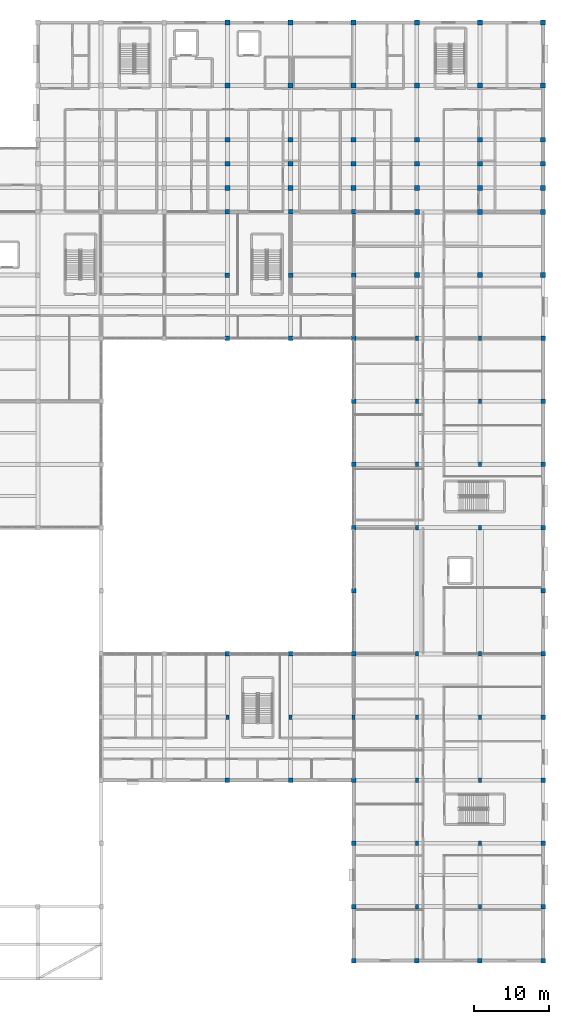
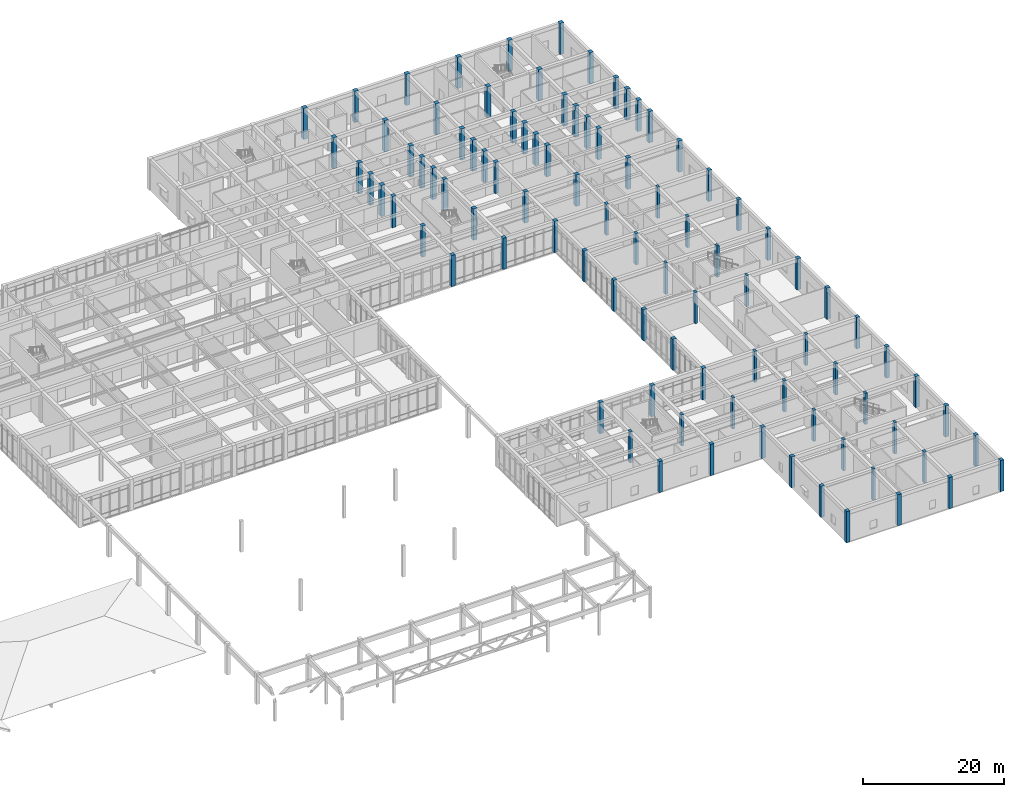
# One storey, part 4 of 89: 92 columns.
"""IFC4 building model written with IfcOpenShell, lengths in metres."""

from ifc_helpers import new_model, si_unit, direction, frame, origin, origin_2d, place, context, subcontext, project, spatial, rectangle, extrude, material, material_profile, profile_set, type_object, element, save


model = new_model("IFC4")

# Units and contexts
model_context = context("Model", 3, precision=1e-05, world=origin(), true_north=direction((0.0, 1.0)))
body_context = subcontext(model_context, "Body", "Model", "MODEL_VIEW")
ifc_project = project(units=[si_unit("LENGTHUNIT", "METRE"), si_unit("AREAUNIT", "SQUARE_METRE"), si_unit("VOLUMEUNIT", "CUBIC_METRE"), si_unit("PLANEANGLEUNIT", "RADIAN"), si_unit("MASSUNIT", "GRAM", prefix="KILO")], contexts=[model_context])

# Site, building, storey
site_placement = place(None, origin())
site = spatial("IfcSite", under=ifc_project, at=site_placement, CompositionType="ELEMENT")
building_placement = place(site_placement, origin())
building = spatial("IfcBuilding", under=site, at=building_placement, Name="Varncliffe General Hospital", CompositionType="ELEMENT")
storey_placement = place(building_placement, frame((0.0, 0.0, 10.800048828125)))
storey = spatial("IfcBuildingStorey", under=building, at=storey_placement, Name="L02", CompositionType="ELEMENT", Elevation=10.800048828125)

# Columns
ifc_material = material(Name="Concrete C40/50 (CSA A23.1 40 MPa)", Category="concrete")
ifc_material_profile_1 = material_profile(ifc_material, rectangle(XDim=0.64990234375, YDim=0.64990234375, at=origin_2d()), Name="RC 650x650")
ifc_profile_set_1 = profile_set([ifc_material_profile_1], Name="Concrete C40/50 (CSA A23.1 40 MPa)")
column_type_1 = type_object("IfcColumnType", Name="Column C21 (Ext RC 650x650)", PredefinedType="COLUMN", material=ifc_profile_set_1)
for number, where, z_axis, x_axis, name in (
    (1, (134.39990234375, 124.800048828125, 0.0), (0.0, 0.0, 1.0), (1.0, 0.0, 0.0), "L02 Column C21"),
    (2, (142.800048828125, 124.800048828125, 0.0), (0.0, 0.0, 1.0), (1.0, 0.0, 0.0), "L02 Column C21"),
    (3, (151.199951171875, 124.800048828125, 0.0), (0.0, 0.0, 1.0), (1.0, 0.0, 0.0), "L02 Column C21"),
    (4, (159.60009765625, 124.800048828125, 0.0), (0.0, 0.0, 1.0), (1.0, 0.0, 0.0), "L02 Column C21"),
    (5, (168.0, 124.800048828125, 0.0), (0.0, 0.0, 1.0), (1.0, 0.0, 0.0), "L02 Column C21"),
    (6, (176.39990234375, 91.199951171875, 0.0), (0.0, 0.0, 1.0), (1.0, 0.0, 0.0), "L02 Column C21"),
    (7, (176.39990234375, 99.60009765625, 0.0), (0.0, 0.0, 1.0), (1.0, 0.0, 0.0), "L02 Column C21"),
    (8, (176.39990234375, 102.800048828125, 0.0), (0.0, 0.0, 1.0), (1.0, 0.0, 0.0), "L02 Column C21"),
    (9, (176.39990234375, 106.0, 0.0), (0.0, 0.0, 1.0), (1.0, 0.0, 0.0), "L02 Column C21"),
    (10, (176.39990234375, 109.199951171875, 0.0), (0.0, 0.0, 1.0), (1.0, 0.0, 0.0), "L02 Column C21"),
    (11, (176.39990234375, 116.39990234375, 0.0), (0.0, 0.0, 1.0), (1.0, 0.0, 0.0), "L02 Column C21"),
    (12, (176.39990234375, 124.800048828125, 0.0), (0.0, 0.0, 1.0), (1.0, 0.0, 0.0), "L02 Column C21"),
):
    element("IfcColumn", number, at=place(storey_placement, frame(where, z_axis=z_axis, x_axis=x_axis)), inside=storey, type_object=column_type_1, Name=name, PredefinedType="COLUMN", context=body_context, shape_type="SweptSolid", body=[
        extrude(rectangle(XDim=0.64990234375, YDim=0.64990234375, at=origin_2d()), origin(), (0.0, 0.0, 1.0), 5.39990234375),
    ])
ifc_material_profile_2 = material_profile(ifc_material, rectangle(XDim=0.60009765625, YDim=0.60009765625, at=origin_2d()), Name="RC 600x600")
ifc_profile_set_2 = profile_set([ifc_material_profile_2], Name="Concrete C40/50 (CSA A23.1 40 MPa)")
column_type_2 = type_object("IfcColumnType", Name="Column C27 (Ext RC 600x600)", PredefinedType="COLUMN", material=ifc_profile_set_2)
for number, where, z_axis, x_axis, name in (
    (13, (134.39990234375, 24.0, 0.0), (0.0, 0.0, 1.0), (1.0, 0.0, 0.0), "L02 Column C27"),
    (14, (134.39990234375, 40.800048828125, 0.0), (0.0, 0.0, 1.0), (1.0, 0.0, 0.0), "L02 Column C27"),
    (15, (134.39990234375, 82.800048828125, 0.0), (0.0, 0.0, 1.0), (1.0, 0.0, 0.0), "L02 Column C27"),
    (16, (142.800048828125, 24.0, 0.0), (0.0, 0.0, 1.0), (1.0, 0.0, 0.0), "L02 Column C27"),
    (17, (142.800048828125, 40.800048828125, 0.0), (0.0, 0.0, 1.0), (1.0, 0.0, 0.0), "L02 Column C27"),
    (18, (142.800048828125, 82.800048828125, 0.0), (0.0, 0.0, 1.0), (1.0, 0.0, 0.0), "L02 Column C27"),
    (19, (151.199951171875, 0.0, 0.0), (0.0, 0.0, 1.0), (1.0, 0.0, 0.0), "L02 Column C27"),
    (20, (151.199951171875, 7.199951171875, 0.0), (0.0, 0.0, 1.0), (1.0, 0.0, 0.0), "L02 Column C27"),
    (21, (151.199951171875, 15.60009765625, 0.0), (0.0, 0.0, 1.0), (1.0, 0.0, 0.0), "L02 Column C27"),
    (22, (151.199951171875, 24.0, 0.0), (0.0, 0.0, 1.0), (1.0, 0.0, 0.0), "L02 Column C27"),
    (23, (151.199951171875, 40.800048828125, 0.0), (0.0, 0.0, 1.0), (1.0, 0.0, 0.0), "L02 Column C27"),
    (24, (151.199951171875, 49.199951171875, 0.0), (0.0, 0.0, 1.0), (1.0, 0.0, 0.0), "L02 Column C27"),
    (25, (151.199951171875, 57.60009765625, 0.0), (0.0, 0.0, 1.0), (1.0, 0.0, 0.0), "L02 Column C27"),
    (26, (151.199951171875, 66.0, 0.0), (0.0, 0.0, 1.0), (1.0, 0.0, 0.0), "L02 Column C27"),
    (27, (151.199951171875, 74.39990234375, 0.0), (0.0, 0.0, 1.0), (1.0, 0.0, 0.0), "L02 Column C27"),
    (28, (151.199951171875, 82.800048828125, 0.0), (0.0, 0.0, 1.0), (1.0, 0.0, 0.0), "L02 Column C27"),
    (29, (159.60009765625, 0.0, 0.0), (0.0, 0.0, 1.0), (1.0, 0.0, 0.0), "L02 Column C27"),
    (30, (168.0, 0.0, 0.0), (0.0, 0.0, 1.0), (1.0, 0.0, 0.0), "L02 Column C27"),
    (31, (176.39990234375, 0.0, 0.0), (0.0, 0.0, 1.0), (1.0, 0.0, 0.0), "L02 Column C27"),
    (32, (176.39990234375, 7.199951171875, 0.0), (0.0, 0.0, 1.0), (1.0, 0.0, 0.0), "L02 Column C27"),
    (33, (176.39990234375, 15.60009765625, 0.0), (0.0, 0.0, 1.0), (1.0, 0.0, 0.0), "L02 Column C27"),
    (34, (176.39990234375, 24.0, 0.0), (0.0, 0.0, 1.0), (1.0, 0.0, 0.0), "L02 Column C27"),
    (35, (176.39990234375, 32.39990234375, 0.0), (0.0, 0.0, 1.0), (1.0, 0.0, 0.0), "L02 Column C27"),
    (36, (176.39990234375, 40.800048828125, 0.0), (0.0, 0.0, 1.0), (1.0, 0.0, 0.0), "L02 Column C27"),
    (37, (176.39990234375, 49.199951171875, 0.0), (0.0, 0.0, 1.0), (1.0, 0.0, 0.0), "L02 Column C27"),
    (38, (176.39990234375, 57.60009765625, 0.0), (0.0, 0.0, 1.0), (1.0, 0.0, 0.0), "L02 Column C27"),
    (39, (176.39990234375, 66.0, 0.0), (0.0, 0.0, 1.0), (1.0, 0.0, 0.0), "L02 Column C27"),
    (40, (176.39990234375, 74.39990234375, 0.0), (0.0, 0.0, 1.0), (1.0, 0.0, 0.0), "L02 Column C27"),
    (41, (176.39990234375, 82.800048828125, 0.0), (0.0, 0.0, 1.0), (1.0, 0.0, 0.0), "L02 Column C27"),
):
    element("IfcColumn", number, at=place(storey_placement, frame(where, z_axis=z_axis, x_axis=x_axis)), inside=storey, type_object=column_type_2, Name=name, PredefinedType="COLUMN", context=body_context, shape_type="SweptSolid", body=[
        extrude(rectangle(XDim=0.60009765625, YDim=0.60009765625, at=origin_2d()), origin(), (0.0, 0.0, 1.0), 5.39990234375),
    ])
ifc_material_profile_3 = material_profile(ifc_material, rectangle(XDim=0.64990234375, YDim=0.64990234375, at=origin_2d()), Name="RC 650x650")
ifc_profile_set_3 = profile_set([ifc_material_profile_3], Name="Concrete C40/50 (CSA A23.1 40 MPa)")
column_type_3 = type_object("IfcColumnType", Name="Column C29 (Int RC 650x650)", PredefinedType="COLUMN", material=ifc_profile_set_3)
for number, where, z_axis, x_axis, name in (
    (42, (134.39990234375, 102.800048828125, 0.0), (0.0, 0.0, 1.0), (1.0, 0.0, 0.0), "L02 Column C29"),
    (43, (134.39990234375, 106.0, 0.0), (0.0, 0.0, 1.0), (1.0, 0.0, 0.0), "L02 Column C29"),
    (44, (134.39990234375, 109.199951171875, 0.0), (0.0, 0.0, 1.0), (1.0, 0.0, 0.0), "L02 Column C29"),
    (45, (134.39990234375, 116.39990234375, 0.0), (0.0, 0.0, 1.0), (1.0, 0.0, 0.0), "L02 Column C29"),
    (46, (142.800048828125, 102.800048828125, 0.0), (0.0, 0.0, 1.0), (1.0, 0.0, 0.0), "L02 Column C29"),
    (47, (142.800048828125, 106.0, 0.0), (0.0, 0.0, 1.0), (1.0, 0.0, 0.0), "L02 Column C29"),
    (48, (142.800048828125, 109.199951171875, 0.0), (0.0, 0.0, 1.0), (1.0, 0.0, 0.0), "L02 Column C29"),
    (49, (142.800048828125, 116.39990234375, 0.0), (0.0, 0.0, 1.0), (1.0, 0.0, 0.0), "L02 Column C29"),
    (50, (151.199951171875, 102.800048828125, 0.0), (0.0, 0.0, 1.0), (1.0, 0.0, 0.0), "L02 Column C29"),
    (51, (151.199951171875, 106.0, 0.0), (0.0, 0.0, 1.0), (1.0, 0.0, 0.0), "L02 Column C29"),
    (52, (151.199951171875, 109.199951171875, 0.0), (0.0, 0.0, 1.0), (1.0, 0.0, 0.0), "L02 Column C29"),
    (53, (151.199951171875, 116.39990234375, 0.0), (0.0, 0.0, 1.0), (1.0, 0.0, 0.0), "L02 Column C29"),
    (54, (159.60009765625, 91.199951171875, 0.0), (0.0, 0.0, 1.0), (1.0, 0.0, 0.0), "L02 Column C29"),
    (55, (159.60009765625, 99.60009765625, 0.0), (0.0, 0.0, 1.0), (1.0, 0.0, 0.0), "L02 Column C29"),
    (56, (159.60009765625, 102.800048828125, 0.0), (0.0, 0.0, 1.0), (1.0, 0.0, 0.0), "L02 Column C29"),
    (57, (159.60009765625, 106.0, 0.0), (0.0, 0.0, 1.0), (1.0, 0.0, 0.0), "L02 Column C29"),
    (58, (159.60009765625, 109.199951171875, 0.0), (0.0, 0.0, 1.0), (1.0, 0.0, 0.0), "L02 Column C29"),
    (59, (159.60009765625, 116.39990234375, 0.0), (0.0, 0.0, 1.0), (1.0, 0.0, 0.0), "L02 Column C29"),
    (60, (168.0, 91.199951171875, 0.0), (0.0, 0.0, 1.0), (1.0, 0.0, 0.0), "L02 Column C29"),
    (61, (168.0, 99.60009765625, 0.0), (0.0, 0.0, 1.0), (1.0, 0.0, 0.0), "L02 Column C29"),
    (62, (168.0, 102.800048828125, 0.0), (0.0, 0.0, 1.0), (1.0, 0.0, 0.0), "L02 Column C29"),
    (63, (168.0, 106.0, 0.0), (0.0, 0.0, 1.0), (1.0, 0.0, 0.0), "L02 Column C29"),
    (64, (168.0, 109.199951171875, 0.0), (0.0, 0.0, 1.0), (1.0, 0.0, 0.0), "L02 Column C29"),
    (65, (168.0, 116.39990234375, 0.0), (0.0, 0.0, 1.0), (1.0, 0.0, 0.0), "L02 Column C29"),
):
    element("IfcColumn", number, at=place(storey_placement, frame(where, z_axis=z_axis, x_axis=x_axis)), inside=storey, type_object=column_type_3, Name=name, PredefinedType="COLUMN", context=body_context, shape_type="SweptSolid", body=[
        extrude(rectangle(XDim=0.64990234375, YDim=0.64990234375, at=origin_2d()), origin(), (0.0, 0.0, 1.0), 5.39990234375),
    ])
ifc_material_profile_4 = material_profile(ifc_material, rectangle(XDim=0.39990234375, YDim=0.60009765625, at=origin_2d()), Name="RC 400x600")
ifc_profile_set_4 = profile_set([ifc_material_profile_4], Name="Concrete C40/50 (CSA A23.1 40 MPa)")
column_type_4 = type_object("IfcColumnType", Name="Column C58 (Int RC 400x600)", PredefinedType="COLUMN", material=ifc_profile_set_4)
for number, where, z_axis, x_axis, name in (
    (66, (134.39990234375, 32.39990234375, 0.0), (0.0, 0.0, 1.0), (1.0, 0.0, 0.0), "L02 Column C58"),
    (67, (142.800048828125, 32.39990234375, 0.0), (0.0, 0.0, 1.0), (1.0, 0.0, 0.0), "L02 Column C58"),
    (68, (151.199951171875, 32.39990234375, 0.0), (0.0, 0.0, 1.0), (1.0, 0.0, 0.0), "L02 Column C58"),
    (69, (159.60009765625, 7.199951171875, 0.0), (0.0, 0.0, 1.0), (1.0, 0.0, 0.0), "L02 Column C58"),
    (70, (159.60009765625, 15.60009765625, 0.0), (0.0, 0.0, 1.0), (1.0, 0.0, 0.0), "L02 Column C58"),
    (71, (159.60009765625, 24.0, 0.0), (0.0, 0.0, 1.0), (1.0, 0.0, 0.0), "L02 Column C58"),
    (72, (159.60009765625, 32.39990234375, 0.0), (0.0, 0.0, 1.0), (1.0, 0.0, 0.0), "L02 Column C58"),
    (73, (159.60009765625, 40.800048828125, 0.0), (0.0, 0.0, 1.0), (1.0, 0.0, 0.0), "L02 Column C58"),
    (74, (159.60009765625, 57.60009765625, 0.0), (0.0, 0.0, 1.0), (1.0, 0.0, 0.0), "L02 Column C58"),
    (75, (159.60009765625, 66.0, 0.0), (0.0, 0.0, 1.0), (1.0, 0.0, 0.0), "L02 Column C58"),
    (76, (159.60009765625, 74.39990234375, 0.0), (0.0, 0.0, 1.0), (1.0, 0.0, 0.0), "L02 Column C58"),
    (77, (159.60009765625, 82.800048828125, 0.0), (0.0, 0.0, 1.0), (1.0, 0.0, 0.0), "L02 Column C58"),
    (78, (168.0, 7.199951171875, 0.0), (0.0, 0.0, 1.0), (1.0, 0.0, 0.0), "L02 Column C58"),
    (79, (168.0, 15.60009765625, 0.0), (0.0, 0.0, 1.0), (1.0, 0.0, 0.0), "L02 Column C58"),
    (80, (168.0, 24.0, 0.0), (0.0, 0.0, 1.0), (1.0, 0.0, 0.0), "L02 Column C58"),
    (81, (168.0, 32.39990234375, 0.0), (0.0, 0.0, 1.0), (1.0, 0.0, 0.0), "L02 Column C58"),
    (82, (168.0, 40.800048828125, 0.0), (0.0, 0.0, 1.0), (1.0, 0.0, 0.0), "L02 Column C58"),
    (83, (168.0, 57.60009765625, 0.0), (0.0, 0.0, 1.0), (1.0, 0.0, 0.0), "L02 Column C58"),
    (84, (168.0, 66.0, 0.0), (0.0, 0.0, 1.0), (1.0, 0.0, 0.0), "L02 Column C58"),
    (85, (168.0, 74.39990234375, 0.0), (0.0, 0.0, 1.0), (1.0, 0.0, 0.0), "L02 Column C58"),
    (86, (168.0, 82.800048828125, 0.0), (0.0, 0.0, 1.0), (1.0, 0.0, 0.0), "L02 Column C58"),
):
    element("IfcColumn", number, at=place(storey_placement, frame(where, z_axis=z_axis, x_axis=x_axis)), inside=storey, type_object=column_type_4, Name=name, PredefinedType="COLUMN", context=body_context, shape_type="SweptSolid", body=[
        extrude(rectangle(XDim=0.39990234375, YDim=0.60009765625, at=origin_2d()), origin(), (0.0, 0.0, 1.0), 5.39990234375),
    ])
ifc_material_profile_5 = material_profile(ifc_material, rectangle(XDim=0.60009765625, YDim=0.60009765625, at=origin_2d()), Name="RC 600x600")
ifc_profile_set_5 = profile_set([ifc_material_profile_5], Name="Concrete C40/50 (CSA A23.1 40 MPa)")
column_type_5 = type_object("IfcColumnType", Name="Column C82 (Int RC 600x600)", PredefinedType="COLUMN", material=ifc_profile_set_5)
for number, where, z_axis, x_axis, name in (
    (87, (134.39990234375, 91.199951171875, 0.0), (0.0, 0.0, 1.0), (1.0, 0.0, 0.0), "L02 Column C82"),
    (88, (134.39990234375, 99.60009765625, 0.0), (0.0, 0.0, 1.0), (1.0, 0.0, 0.0), "L02 Column C82"),
    (89, (142.800048828125, 91.199951171875, 0.0), (0.0, 0.0, 1.0), (1.0, 0.0, 0.0), "L02 Column C82"),
    (90, (142.800048828125, 99.60009765625, 0.0), (0.0, 0.0, 1.0), (1.0, 0.0, 0.0), "L02 Column C82"),
    (91, (151.199951171875, 91.199951171875, 0.0), (0.0, 0.0, 1.0), (1.0, 0.0, 0.0), "L02 Column C82"),
    (92, (151.199951171875, 99.60009765625, 0.0), (0.0, 0.0, 1.0), (1.0, 0.0, 0.0), "L02 Column C82"),
):
    element("IfcColumn", number, at=place(storey_placement, frame(where, z_axis=z_axis, x_axis=x_axis)), inside=storey, type_object=column_type_5, Name=name, PredefinedType="COLUMN", context=body_context, shape_type="SweptSolid", body=[
        extrude(rectangle(XDim=0.60009765625, YDim=0.60009765625, at=origin_2d()), origin(), (0.0, 0.0, 1.0), 5.39990234375),
    ])

save(model, "model.ifc")
